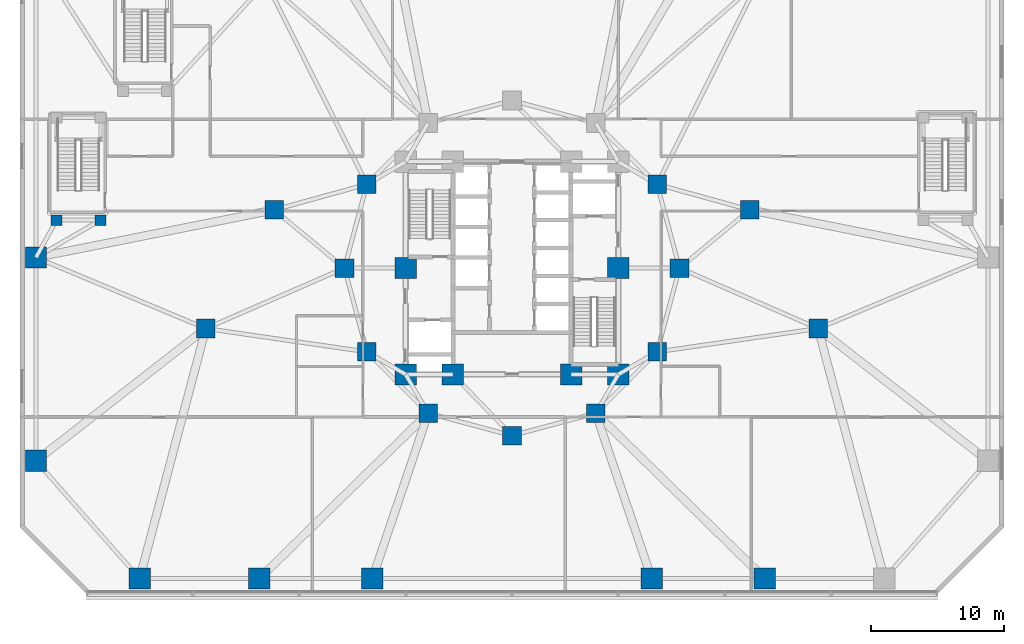
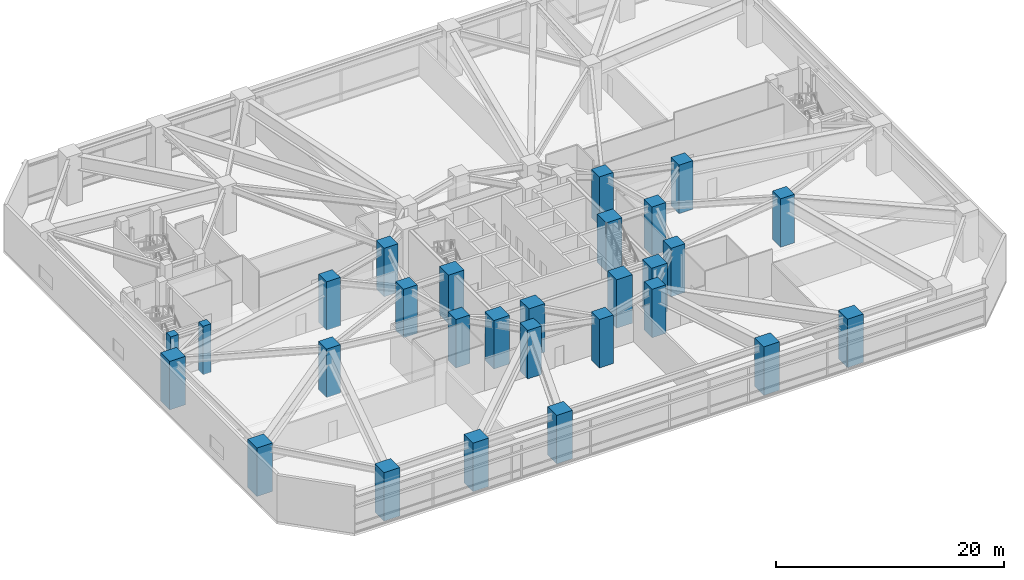
# One storey, part 1 of 28: 28 columns.
"""IFC4 building model written with IfcOpenShell, lengths in metres."""

from ifc_helpers import new_model, si_unit, direction, frame, origin, origin_2d, place, context, subcontext, project, spatial, rectangle, extrude, material, material_profile, profile_set, type_object, element, save


model = new_model("IFC4")

# Units and contexts
model_context = context("Model", 3, precision=1e-05, world=origin(), true_north=direction((0.0, 1.0)))
body_context = subcontext(model_context, "Body", "Model", "MODEL_VIEW")
ifc_project = project(units=[si_unit("LENGTHUNIT", "METRE"), si_unit("AREAUNIT", "SQUARE_METRE"), si_unit("VOLUMEUNIT", "CUBIC_METRE"), si_unit("PLANEANGLEUNIT", "RADIAN"), si_unit("MASSUNIT", "GRAM", prefix="KILO")], contexts=[model_context])

# Site, building, storey
site_placement = place(None, origin())
site = spatial("IfcSite", under=ifc_project, at=site_placement, CompositionType="ELEMENT")
building_placement = place(site_placement, origin())
building = spatial("IfcBuilding", under=site, at=building_placement, Name="Terralouvre Media Tower", CompositionType="ELEMENT")
storey_placement = place(building_placement, frame((0.0, 0.0, 10.39990234375)))
storey = spatial("IfcBuildingStorey", under=building, at=storey_placement, Name="L02", CompositionType="ELEMENT", Elevation=10.39990234375)

# Columns
ifc_material_1 = material(Name="Concrete C60/75", Category="concrete")
ifc_material_profile_1 = material_profile(ifc_material_1, rectangle(XDim=1.39990234375, YDim=1.39990234375, at=origin_2d()), Name="RC 1400x1400")
ifc_profile_set_1 = profile_set([ifc_material_profile_1], Name="Concrete C60/75")
column_type_1 = type_object("IfcColumnType", Name="Structural Column C-RC1400 (RC 1400x1400)", PredefinedType="COLUMN", material=ifc_profile_set_1)
for number, where, z_axis, x_axis, name in (
    (1, (12.60009765625, 0.0, 0.0), (0.0, 0.0, 1.0), (1.0, 0.0, 0.0), "L02 Mega-Frame Column MC01"),
    (2, (10.911865234375, 6.300048828125, 0.0), (0.0, 0.0, 1.0), (1.0, 0.0, 0.0), "L02 Mega-Frame Column MC02"),
    (3, (-10.911865234375, 6.300048828125, 0.0), (0.0, 0.0, 1.0), (1.0, 0.0, 0.0), "L02 Mega-Frame Column MC06"),
    (4, (-12.60009765625, 0.0, 0.0), (0.0, 0.0, 1.0), (1.0, 0.0, 0.0), "L02 Mega-Frame Column MC07"),
    (5, (-10.911865234375, -6.300048828125, 0.0), (0.0, 0.0, 1.0), (1.0, 0.0, 0.0), "L02 Mega-Frame Column MC08"),
    (6, (-6.300048828125, -10.911865234375, 0.0), (0.0, 0.0, 1.0), (1.0, 0.0, 0.0), "L02 Mega-Frame Column MC09"),
    (7, (0.0, -12.60009765625, 0.0), (0.0, 0.0, 1.0), (1.0, 0.0, 0.0), "L02 Mega-Frame Column MC10"),
    (8, (6.300048828125, -10.911865234375, 0.0), (0.0, 0.0, 1.0), (1.0, 0.0, 0.0), "L02 Mega-Frame Column MC11"),
    (9, (10.911865234375, -6.300048828125, 0.0), (0.0, 0.0, 1.0), (1.0, 0.0, 0.0), "L02 Mega-Frame Column MC12"),
    (10, (23.02490234375, -4.546630859375, 0.0), (0.0, 0.0, 1.0), (1.0, 0.0, 0.0), "L02 Podium Transfer Column PM21"),
    (11, (17.874755859375, 4.373291015625, 0.0), (0.0, 0.0, 1.0), (1.0, 0.0, 0.0), "L02 Podium Transfer Column PM22"),
    (12, (-17.874755859375, 4.373291015625, 0.0), (0.0, 0.0, 1.0), (1.0, 0.0, 0.0), "L02 Podium Transfer Column PM23"),
    (13, (-23.02490234375, -4.546630859375, 0.0), (0.0, 0.0, 1.0), (1.0, 0.0, 0.0), "L02 Podium Transfer Column PM24"),
):
    element("IfcColumn", number, at=place(storey_placement, frame(where, z_axis=z_axis, x_axis=x_axis)), inside=storey, type_object=column_type_1, Name=name, PredefinedType="COLUMN", context=body_context, shape_type="SweptSolid", body=[
        extrude(rectangle(XDim=1.39990234375, YDim=1.39990234375, at=origin_2d()), origin(), (0.0, 0.0, 1.0), 5.2001953125),
    ])
ifc_material_2 = material(Name="Concrete C60/75", Category="concrete")
ifc_material_profile_2 = material_profile(ifc_material_2, rectangle(XDim=1.60009765625, YDim=1.60009765625, at=origin_2d()), Name="RC 1600x1600")
ifc_profile_set_2 = profile_set([ifc_material_profile_2], Name="Concrete C60/75")
column_type_2 = type_object("IfcColumnType", Name="Structural Column C-RC1600 (RC 1600x1600)", PredefinedType="COLUMN", material=ifc_profile_set_2)
for number, where, z_axis, x_axis, name in (
    (14, (-8.0, -8.0, 0.0), (0.0, 0.0, 1.0), (1.0, 0.0, 0.0), "L02 Core Pilaster Column CP1"),
    (15, (-4.449951171875, -8.0, 0.0), (0.0, 0.0, 1.0), (1.0, 0.0, 0.0), "L02 Core Pilaster Column CP2"),
    (16, (4.449951171875, -8.0, 0.0), (0.0, 0.0, 1.0), (1.0, 0.0, 0.0), "L02 Core Pilaster Column CP10"),
    (17, (8.0, -8.0, 0.0), (0.0, 0.0, 1.0), (1.0, 0.0, 0.0), "L02 Core Pilaster Column CP3"),
    (18, (8.0, 0.0, 0.0), (0.0, 0.0, 1.0), (1.0, 0.0, 0.0), "L02 Core Pilaster Column CP4"),
    (19, (-8.0, 0.0, 0.0), (0.0, 0.0, 1.0), (1.0, 0.0, 0.0), "L02 Core Pilaster Column CP8"),
    (20, (-28.0, -23.35009765625, 0.0), (0.0, 0.0, 1.0), (1.0, 0.0, 0.0), "L02 Perimeter Mega-Column PM01"),
    (21, (-19.0, -23.35009765625, 0.0), (0.0, 0.0, 1.0), (1.0, 0.0, 0.0), "L02 Perimeter Mega-Column PM02"),
    (22, (-10.5, -23.35009765625, 0.0), (0.0, 0.0, 1.0), (1.0, 0.0, 0.0), "L02 Perimeter Mega-Column PM03"),
    (23, (10.5, -23.35009765625, 0.0), (0.0, 0.0, 1.0), (1.0, 0.0, 0.0), "L02 Perimeter Mega-Column PM04"),
    (24, (19.0, -23.35009765625, 0.0), (0.0, 0.0, 1.0), (1.0, 0.0, 0.0), "L02 Perimeter Mega-Column PM05"),
    (25, (-35.800048828125, 0.800048828125, 0.0), (0.0, 0.0, 1.0), (1.0, 0.0, 0.0), "L02 Perimeter Mega-Column PM17"),
    (26, (-35.800048828125, -14.5, 0.0), (0.0, 0.0, 1.0), (1.0, 0.0, 0.0), "L02 Perimeter Mega-Column PM18"),
):
    element("IfcColumn", number, at=place(storey_placement, frame(where, z_axis=z_axis, x_axis=x_axis)), inside=storey, type_object=column_type_2, Name=name, PredefinedType="COLUMN", context=body_context, shape_type="SweptSolid", body=[
        extrude(rectangle(XDim=1.60009765625, YDim=1.60009765625, at=origin_2d()), origin(), (0.0, 0.0, 1.0), 5.2001953125),
    ])
ifc_material_3 = material(Name="Concrete C50/60", Category="concrete")
ifc_material_profile_3 = material_profile(ifc_material_3, rectangle(XDim=0.800048828125, YDim=0.800048828125, at=origin_2d()), Name="RC 800x800")
ifc_profile_set_3 = profile_set([ifc_material_profile_3], Name="Concrete C50/60")
column_type_3 = type_object("IfcColumnType", Name="Structural Column C-RC800 (RC 800x800)", PredefinedType="COLUMN", material=ifc_profile_set_3)
for number, where, z_axis, x_axis, name in (
    (27, (-34.25, 3.60009765625, 0.0), (0.0, 0.0, 1.0), (1.0, 0.0, 0.0), "L02 Stair Pavilion Support Column ST3C1"),
    (28, (-30.949951171875, 3.60009765625, 0.0), (0.0, 0.0, 1.0), (1.0, 0.0, 0.0), "L02 Stair Pavilion Support Column ST3C2"),
):
    element("IfcColumn", number, at=place(storey_placement, frame(where, z_axis=z_axis, x_axis=x_axis)), inside=storey, type_object=column_type_3, Name=name, PredefinedType="COLUMN", context=body_context, shape_type="SweptSolid", body=[
        extrude(rectangle(XDim=0.800048828125, YDim=0.800048828125, at=origin_2d()), origin(), (0.0, 0.0, 1.0), 5.2001953125),
    ])

save(model, "model.ifc")
